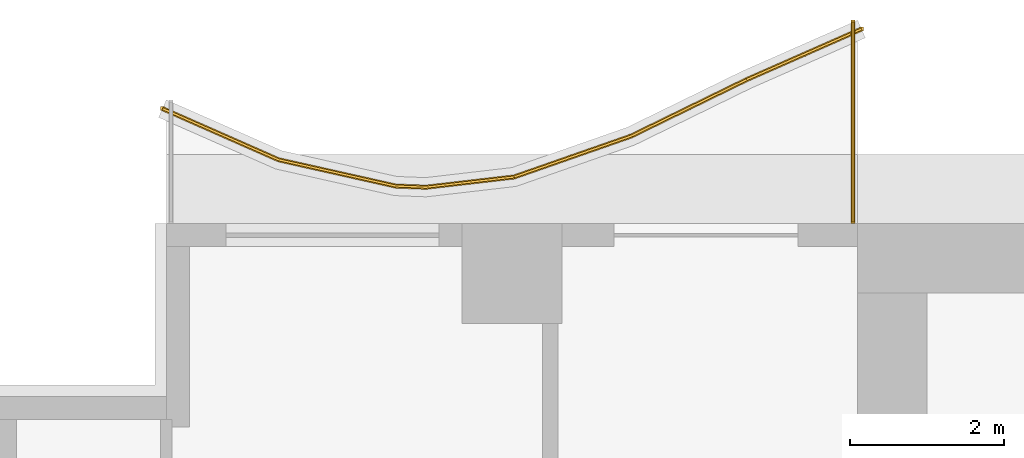
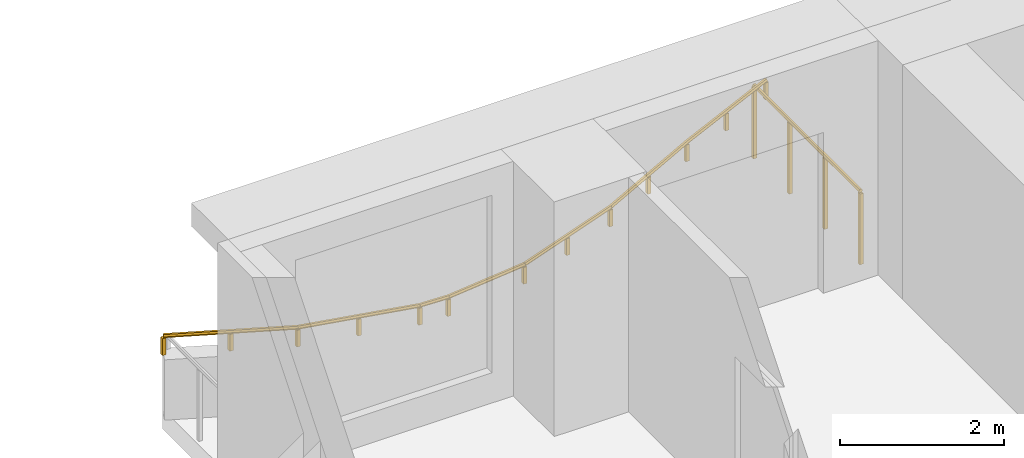
# One storey, part 13 of 14: 2 railings.
"""IFC4 building model written with IfcOpenShell, lengths in metres."""

from ifc_helpers import new_model, si_unit, direction, frame, origin, origin_2d, place, context, subcontext, project, spatial, polyline, rectangle, outline, extrude, material, type_object, element, save


model = new_model("IFC4")

# Units and contexts
model_context = context("Model", 3, precision=1e-05, world=origin(), true_north=direction((0.0, 1.0)))
body_context = subcontext(model_context, "Body", "Model", "MODEL_VIEW")
ifc_project = project(units=[si_unit("LENGTHUNIT", "METRE"), si_unit("AREAUNIT", "SQUARE_METRE"), si_unit("VOLUMEUNIT", "CUBIC_METRE"), si_unit("PLANEANGLEUNIT", "RADIAN"), si_unit("MASSUNIT", "GRAM", prefix="KILO")], contexts=[model_context])

# Site, building, storey
site_placement = place(None, origin())
site = spatial("IfcSite", under=ifc_project, at=site_placement, CompositionType="ELEMENT")
building_placement = place(site_placement, origin())
building = spatial("IfcBuilding", under=site, at=building_placement, Name="Orbiselva Terraces", CompositionType="ELEMENT")
storey_placement = place(building_placement, frame((0.0, 0.0, 88.4)))
storey = spatial("IfcBuildingStorey", under=building, at=storey_placement, Name="L22", CompositionType="ELEMENT", Elevation=88.4)

# Railings
ifc_material_1 = material(Name="Bonded two-ply safety glass balustrade, stainless steel posts", Category="steel")
railing_type_1 = type_object("IfcRailingType", Name="ENV-BALUSTRADE-1200", PredefinedType="BALUSTRADE", material=ifc_material_1)
railing_1_placement = place(storey_placement, frame((-13.449606, 25.034136, 0.9)))
element("IfcRailing", 1, at=railing_1_placement, inside=storey, type_object=railing_type_1, Name="Balcony balustrade L22 NW", PredefinedType="BALUSTRADE", context=body_context, shape_type="SweptSolid", body=[
    extrude(outline(polyline([(0.028868, 0.0), (0.014434, 0.025), (-0.014434, 0.025), (-0.028868, 0.0), (-0.014434, -0.025), (0.014434, -0.025), (0.028868, 0.0)])), frame((0.0, 0.0, 0.275), z_axis=(-0.915133498047, -0.403150940408, 0.0), x_axis=(0.403150940408, -0.915133498047, 0.0)), (0.0, 0.0, 1.0), 1.636648),
    extrude(outline(polyline([(0.028868, 0.0), (0.014434, 0.025), (-0.014434, 0.025), (-0.028868, 0.0), (-0.014434, -0.025), (0.014434, -0.025), (0.028868, 0.0)])), frame((-1.497751, -0.659816, 0.275), z_axis=(-0.898578870221, -0.438812048596, 0.0), x_axis=(0.438812048596, -0.898578870221, 0.0)), (0.0, 0.0, 1.0), 1.674225),
    extrude(outline(polyline([(0.028868, 0.0), (0.014434, 0.025), (-0.014434, 0.025), (-0.028868, 0.0), (-0.014434, -0.025), (0.014434, -0.025), (0.028868, 0.0)])), frame((-3.002174, -1.394486, 0.275), z_axis=(-0.943972332783, -0.330024597479, 0.0), x_axis=(0.330024597479, -0.943972332783, 0.0)), (0.0, 0.0, 1.0), 1.610253),
    extrude(outline(polyline([(0.028868, 0.0), (0.014434, 0.025), (-0.014434, 0.025), (-0.028868, 0.0), (-0.014434, -0.025), (0.014434, -0.025), (0.028868, 0.0)])), frame((-4.522208, -1.925909, 0.275), z_axis=(-0.993309551734, -0.115482182324, 0.0), x_axis=(0.115482182324, -0.993309551734, 0.0)), (0.0, 0.0, 1.0), 1.156135),
    extrude(outline(polyline([(0.028868, 0.0), (0.014434, 0.025), (-0.014434, 0.025), (-0.028868, 0.0), (-0.014434, -0.025), (0.014434, -0.025), (0.028868, 0.0)])), frame((-5.670608, -2.059422, 0.275), z_axis=(-0.999224734286, 0.03936915532, 0.0), x_axis=(-0.03936915532, -0.999224734286, 0.0)), (0.0, 0.0, 1.0), 0.396376),
    extrude(outline(polyline([(0.028868, 0.0), (0.014434, 0.025), (-0.014434, 0.025), (-0.028868, 0.0), (-0.014434, -0.025), (0.014434, -0.025), (0.028868, 0.0)])), frame((-6.066677, -2.043817, 0.275), z_axis=(-0.97572137947, 0.219015500924, 0.0), x_axis=(-0.219015500924, -0.97572137947, 0.0)), (0.0, 0.0, 1.0), 1.560867),
    extrude(outline(polyline([(0.028868, 0.0), (0.014434, 0.025), (-0.014434, 0.025), (-0.028868, 0.0), (-0.014434, -0.025), (0.014434, -0.025), (0.028868, 0.0)])), frame((-7.589648, -1.701963, 0.275), z_axis=(-0.915133578754, 0.403150757208, 0.0), x_axis=(-0.403150757208, -0.915133578754, 0.0)), (0.0, 0.0, 1.0), 1.651278),
    extrude(rectangle(XDim=0.05, YDim=0.05, at=origin_2d()), origin(), (0.0, 0.0, 1.0), 0.25),
    extrude(rectangle(XDim=0.05, YDim=0.05, at=origin_2d()), frame((-0.748876, -0.329908, 0.0)), (0.0, 0.0, 1.0), 0.25),
    extrude(rectangle(XDim=0.05, YDim=0.05, at=origin_2d()), frame((-1.497751, -0.659816, 0.0)), (0.0, 0.0, 1.0), 0.25),
    extrude(rectangle(XDim=0.05, YDim=0.05, at=origin_2d()), frame((-2.249963, -1.027151, 0.0)), (0.0, 0.0, 1.0), 0.25),
    extrude(rectangle(XDim=0.05, YDim=0.05, at=origin_2d()), frame((-3.002174, -1.394486, 0.0)), (0.0, 0.0, 1.0), 0.25),
    extrude(rectangle(XDim=0.05, YDim=0.05, at=origin_2d()), frame((-3.762191, -1.660198, 0.0)), (0.0, 0.0, 1.0), 0.25),
    extrude(rectangle(XDim=0.05, YDim=0.05, at=origin_2d()), frame((-4.522208, -1.925909, 0.0)), (0.0, 0.0, 1.0), 0.25),
    extrude(rectangle(XDim=0.05, YDim=0.05, at=origin_2d()), frame((-5.670608, -2.059422, 0.0)), (0.0, 0.0, 1.0), 0.25),
    extrude(rectangle(XDim=0.05, YDim=0.05, at=origin_2d()), frame((-6.066677, -2.043817, 0.0)), (0.0, 0.0, 1.0), 0.25),
    extrude(rectangle(XDim=0.05, YDim=0.05, at=origin_2d()), frame((-6.828163, -1.87289, 0.0)), (0.0, 0.0, 1.0), 0.25),
    extrude(rectangle(XDim=0.05, YDim=0.05, at=origin_2d()), frame((-7.589648, -1.701963, 0.0)), (0.0, 0.0, 1.0), 0.25),
    extrude(rectangle(XDim=0.05, YDim=0.05, at=origin_2d()), frame((-8.345218, -1.369106, 0.0)), (0.0, 0.0, 1.0), 0.25),
    extrude(rectangle(XDim=0.05, YDim=0.05, at=origin_2d()), frame((-9.100788, -1.036249, 0.0)), (0.0, 0.0, 1.0), 0.25),
])
ifc_material_2 = material(Name="Stainless steel rail and posts", Category="steel")
railing_type_2 = type_object("IfcRailingType", Name="ENV-GUARD-1105", PredefinedType="BALUSTRADE", material=ifc_material_2)
railing_2_placement = place(storey_placement, frame((-13.56, 25.126937, 0.0)))
element("IfcRailing", 2, at=railing_2_placement, inside=storey, type_object=railing_type_2, Name="Balcony end guard L22 NW", PredefinedType="BALUSTRADE", context=body_context, shape_type="SweptSolid", body=[
    extrude(outline(polyline([(0.028868, 0.0), (0.014434, 0.025), (-0.014434, 0.025), (-0.028868, 0.0), (-0.014434, -0.025), (0.014434, -0.025), (0.028868, 0.0)])), frame((0.0, 0.0, 1.08), z_axis=(0.0, -1.0, 0.0), x_axis=(1.0, 0.0, 0.0)), (0.0, 0.0, 1.0), 2.601937),
    extrude(rectangle(XDim=0.05, YDim=0.05, at=origin_2d()), origin(), (0.0, 0.0, 1.0), 1.055),
    extrude(rectangle(XDim=0.05, YDim=0.05, at=origin_2d()), frame((0.0, -0.867312, 0.0)), (0.0, 0.0, 1.0), 1.055),
    extrude(rectangle(XDim=0.05, YDim=0.05, at=origin_2d()), frame((0.0, -1.734625, 0.0)), (0.0, 0.0, 1.0), 1.055),
    extrude(rectangle(XDim=0.05, YDim=0.05, at=origin_2d()), frame((0.0, -2.601937, 0.0)), (0.0, 0.0, 1.0), 1.055),
])

save(model, "model.ifc")
